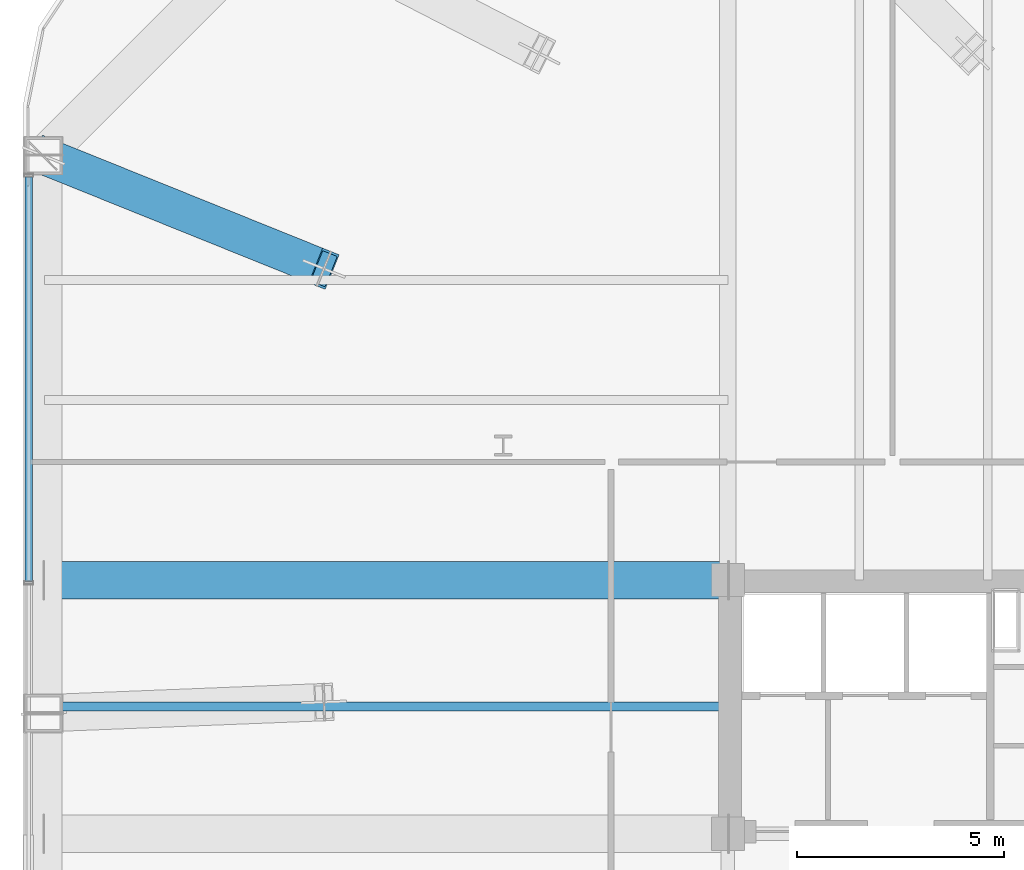
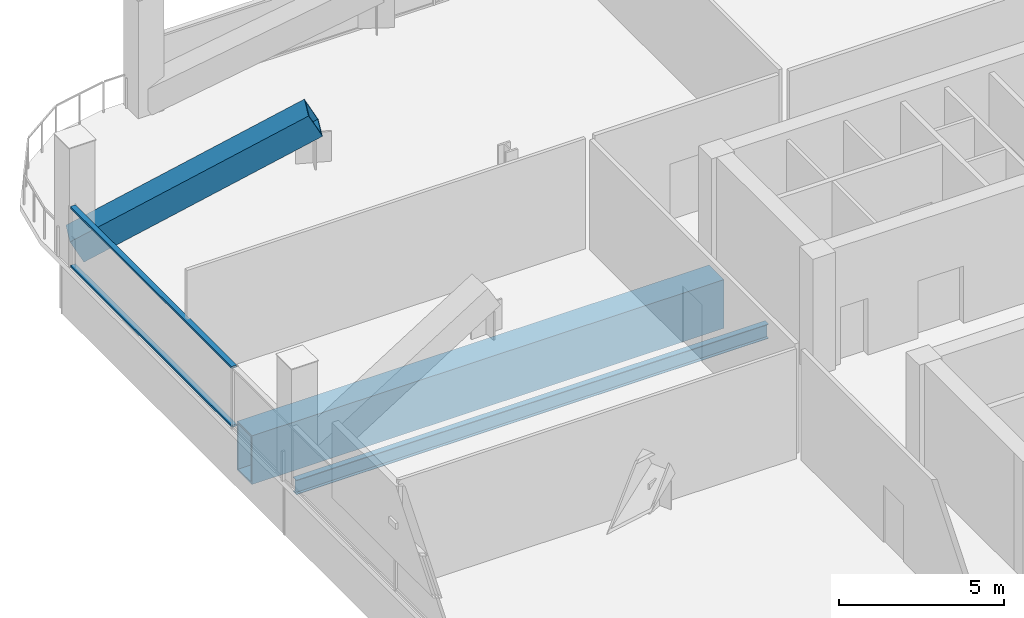
# One storey, part 17 of 38: 3 members, 2 beams, 1 element without a shape of its own.
"""IFC4 building model written with IfcOpenShell, lengths in metres."""

from ifc_helpers import new_model, si_unit, direction, frame, origin, origin_2d, place, context, subcontext, project, spatial, hollow_rectangle, i_section, extrude, material, layer, layer_set, material_profile, profile_set, type_object, element, aggregate, save


model = new_model("IFC4")

# Units and contexts
model_context = context("Model", 3, precision=1e-05, world=origin(), true_north=direction((0.0, 1.0)))
body_context = subcontext(model_context, "Body", "Model", "MODEL_VIEW")
ifc_project = project(units=[si_unit("LENGTHUNIT", "METRE"), si_unit("AREAUNIT", "SQUARE_METRE"), si_unit("VOLUMEUNIT", "CUBIC_METRE"), si_unit("PLANEANGLEUNIT", "RADIAN"), si_unit("MASSUNIT", "GRAM", prefix="KILO")], contexts=[model_context])

# Site, building, storey
site_placement = place(None, origin())
site = spatial("IfcSite", under=ifc_project, at=site_placement, CompositionType="ELEMENT")
building_placement = place(site_placement, origin())
building = spatial("IfcBuilding", under=site, at=building_placement, Name="Qhalaya Broadcast Tower", CompositionType="ELEMENT")
storey_placement = place(building_placement, frame((0.0, 0.0, 53.550048828125)))
storey = spatial("IfcBuildingStorey", under=building, at=storey_placement, Name="L15", CompositionType="ELEMENT", Elevation=53.550048828125)

# Beams
ifc_material_1 = material(Name="Structural Steel ASTM A572 Grade 50", Category="steel")
ifc_material_profile_1 = material_profile(ifc_material_1, hollow_rectangle(XDim=0.89990234375, YDim=1.800048828125, WallThickness=0.06005859375, at=origin_2d()), Name="BOX 900x1800x60")
ifc_profile_set_1 = profile_set([ifc_material_profile_1], Name="Structural Steel ASTM A572 Grade 50")
beam_type_1 = type_object("IfcBeamType", Name="Block Cantilever Transfer Box Girder TG1", PredefinedType="USERDEFINED", material=ifc_profile_set_1)
beam_1_placement = place(storey_placement, frame((-25.8798828125, 9.949951171875, -1.1201171875), z_axis=(1.0, 0.0, 0.0), x_axis=(0.0, 1.0, 0.0)))
element("IfcBeam", 1, at=beam_1_placement, inside=storey, type_object=beam_type_1, Name="L15 TG1 L15-PGYW4-1", ObjectType="GIRDER", PredefinedType="USERDEFINED", context=body_context, shape_type="SweptSolid", body=[
    extrude(hollow_rectangle(XDim=0.89990234375, YDim=1.800048828125, WallThickness=0.06005859375, at=origin_2d()), origin(), (0.0, 0.0, 1.0), 16.5048828125),
])
ifc_material_2 = material(Name="Structural Steel ASTM A992 Grade 50", Category="steel")
ifc_material_profile_2 = material_profile(ifc_material_2, i_section(OverallWidth=0.2099609375, OverallDepth=0.535888671875, WebThickness=0.010986328125, FlangeThickness=0.017333984375, at=origin_2d()), Name="W21X68")
ifc_profile_set_2 = profile_set([ifc_material_profile_2], Name="Structural Steel ASTM A992 Grade 50")
beam_type_2 = type_object("IfcBeamType", Name="Composite Floor Joist J02", PredefinedType="JOIST", material=ifc_profile_set_2)
beam_2_placement = place(storey_placement, frame((-25.8798828125, 6.89990234375, -0.488037109375), z_axis=(1.0, 0.0, 0.0), x_axis=(0.0, 1.0, 0.0)))
element("IfcBeam", 2, at=beam_2_placement, inside=storey, type_object=beam_type_2, Name="L15 J02 L15-JWE5W-1", PredefinedType="JOIST", context=body_context, shape_type="SweptSolid", body=[
    extrude(i_section(OverallWidth=0.2099609375, OverallDepth=0.535888671875, WebThickness=0.010986328125, FlangeThickness=0.017333984375, at=origin_2d()), origin(), (0.0, 0.0, 1.0), 16.5048828125),
])

# Member
ifc_material_profile_3 = material_profile(ifc_material_1, hollow_rectangle(XDim=0.89990234375, YDim=0.89990234375, WallThickness=0.054931640625, at=origin_2d()), Name="BOX 900x900x55")
ifc_profile_set_3 = profile_set([ifc_material_profile_3], Name="Structural Steel ASTM A572 Grade 50")
member_type_1 = type_object("IfcMemberType", Name="Heavy Exoskeleton Transfer Strut RK1", PredefinedType="BRACE", material=ifc_profile_set_3)
member_1_placement = place(storey_placement, frame((-25.89990234375, 20.199951171875, 0.40576171875), z_axis=(0.815950394006, -0.329028391842, 0.475358045985), x_axis=(0.373984111335, 0.927435110652, 0.0)))
element("IfcMember", 3, at=member_1_placement, inside=storey, type_object=member_type_1, Name="L15 Inclined Exoskeleton Transfer Strut 13", PredefinedType="BRACE", context=body_context, shape_type="SweptSolid", body=[
    extrude(hollow_rectangle(XDim=0.89990234375, YDim=0.89990234375, WallThickness=0.054931640625, at=origin_2d()), origin(), (0.0, 0.0, 1.0), 8.297119140625),
])

# Curtain wall, members
ifc_material_3 = material(Name="Fired Architectural Terracotta", Category="masonry")
ifc_layer = layer(ifc_material_3, 0.219970703125, Name="Fired Architectural Terracotta")
ifc_layer_set = layer_set([ifc_layer], Name="Fired Architectural Terracotta")
curtain_wall_type = type_object("IfcCurtainWallType", Name="Block-Cap Unitised Terracotta Spandrel Wall CW-07", PredefinedType="NOTDEFINED", material=ifc_layer_set)
curtain_wall_placement = place(storey_placement, origin())
curtain_wall = element("IfcCurtainWall", 4, at=curtain_wall_placement, inside=storey, type_object=curtain_wall_type, Name="L15 Unitised Curtain Wall L15-CW-W", PredefinedType="NOTDEFINED")
ifc_material_4 = material(Name="Anodised Aluminium 6063-T6", Category="aluminium")
ifc_material_profile_4 = material_profile(ifc_material_4, hollow_rectangle(XDim=0.074951171875, YDim=0.179931640625, WallThickness=0.00390625, at=origin_2d()), Name="ALU-TRN 75x180x4")
ifc_profile_set_4 = profile_set([ifc_material_profile_4], Name="Anodised Aluminium 6063-T6")
member_type_2 = type_object("IfcMemberType", Name="Unitised Curtain-Wall Transom T01", PredefinedType="USERDEFINED", material=ifc_profile_set_4)
member_2_placement = place(storey_placement, frame((-26.260009765625, 9.91845703125, 0.037353515625), z_axis=(0.0, 1.0, 0.0), x_axis=(0.0, 0.0, 1.0)))
member_2 = element("IfcMember", 5, at=member_2_placement, type_object=member_type_2, Name="CW-07 transom 4.1", ObjectType="TRANSOM", PredefinedType="USERDEFINED", context=body_context, shape_type="SweptSolid", body=[
    extrude(hollow_rectangle(XDim=0.074951171875, YDim=0.179931640625, WallThickness=0.00390625, at=origin_2d()), origin(), (0.0, 0.0, 1.0), 9.7685546875),
])
member_3_placement = place(storey_placement, frame((-26.260009765625, 9.91845703125, 2.21240234375), z_axis=(0.0, 1.0, 0.0), x_axis=(0.0, 0.0, 1.0)))
member_3 = element("IfcMember", 6, at=member_3_placement, type_object=member_type_2, Name="CW-07 transom 4.2", ObjectType="TRANSOM", PredefinedType="USERDEFINED", context=body_context, shape_type="SweptSolid", body=[
    extrude(hollow_rectangle(XDim=0.074951171875, YDim=0.179931640625, WallThickness=0.00390625, at=origin_2d()), origin(), (0.0, 0.0, 1.0), 9.7685546875),
])
aggregate(curtain_wall, [member_2, member_3])

save(model, "model.ifc")
